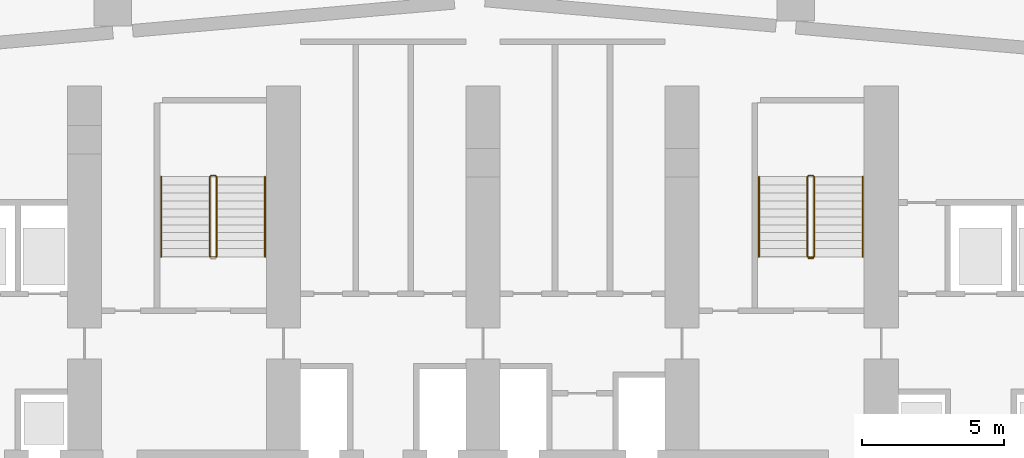
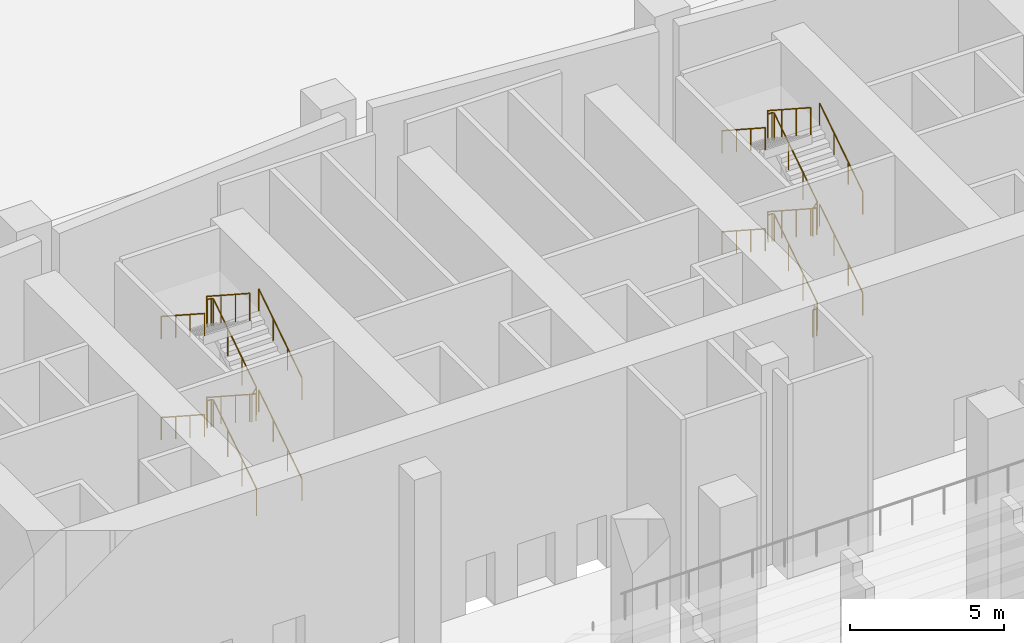
# One storey, part 39 of 41: 11 railings.
"""IFC4 building model written with IfcOpenShell, lengths in metres."""

from ifc_helpers import new_model, si_unit, direction, frame, origin, origin_2d, place, context, subcontext, project, spatial, circle, extrude, material, type_object, element, save


model = new_model("IFC4")

# Units and contexts
model_context = context("Model", 3, precision=1e-05, world=origin(), true_north=direction((0.0, 1.0)))
body_context = subcontext(model_context, "Body", "Model", "MODEL_VIEW")
ifc_project = project(units=[si_unit("LENGTHUNIT", "METRE"), si_unit("AREAUNIT", "SQUARE_METRE"), si_unit("VOLUMEUNIT", "CUBIC_METRE"), si_unit("PLANEANGLEUNIT", "RADIAN"), si_unit("MASSUNIT", "GRAM", prefix="KILO")], contexts=[model_context])

# Site, building, storey
site_placement = place(None, origin())
site = spatial("IfcSite", under=ifc_project, at=site_placement, CompositionType="ELEMENT")
building_placement = place(site_placement, origin())
building = spatial("IfcBuilding", under=site, at=building_placement, Name="Wharfspan Tower", CompositionType="ELEMENT")
storey_placement = place(building_placement, origin())
storey = spatial("IfcBuildingStorey", under=building, at=storey_placement, Name="L00", CompositionType="ELEMENT", Elevation=0.0)

# Railings
ifc_material = material(Name="Steel S355J2", Category="steel")
railing_type_1 = type_object("IfcRailingType", Name="Stair guard 1100", PredefinedType="GUARDRAIL", material=ifc_material)
railing_1_placement = place(storey_placement, frame((27.649902, 42.0, 0.181885)))
element("IfcRailing", 1, at=railing_1_placement, inside=storey, type_object=railing_type_1, Name="L00 ST1 stair guard 1", PredefinedType="GUARDRAIL", context=body_context, shape_type="SweptSolid", body=[
    extrude(circle(Radius=0.023926, at=origin_2d()), frame((0.0, 0.0, 1.076172), z_axis=(0.0, 0.838706, 0.544585), x_axis=(-1.0, 0.0, 0.0)), (0.0, 0.0, 1.0), 3.338623),
    extrude(circle(Radius=0.023926, at=origin_2d()), frame((0.0, 2.800049, 2.894043), z_axis=(-0.705376, 0.708834, 0.0), x_axis=(-0.708834, -0.705376, 0.0)), (0.0, 0.0, 1.0), 0.070557),
    extrude(circle(Radius=0.023926, at=origin_2d()), frame((-0.049805, 2.850098, 2.894043), z_axis=(-1.0, 0.0, 0.0), x_axis=(0.0, -1.0, 0.0)), (0.0, 0.0, 1.0), 0.150146),
    extrude(circle(Radius=0.023926, at=origin_2d()), frame((-0.199951, 2.850098, 2.894043), z_axis=(-0.256435, -0.256435, 0.931924), x_axis=(0.707107, -0.707107, 0.0)), (0.0, 0.0, 1.0), 0.195068),
    extrude(circle(Radius=0.023926, at=origin_2d()), frame((-0.25, 2.800049, 3.076172), z_axis=(0.0, -0.838706, 0.544585), x_axis=(1.0, 0.0, 0.0)), (0.0, 0.0, 1.0), 3.338623),
    extrude(circle(Radius=0.023926, at=origin_2d()), frame((-0.25, 0.0, 4.894043), z_axis=(0.970143, -0.242536, 0.0), x_axis=(0.242536, 0.970143, 0.0)), (0.0, 0.0, 1.0), 0.206299),
    extrude(circle(Radius=0.023926, at=origin_2d()), frame((-0.049805, -0.050049, 4.894043), z_axis=(-1.0, 0.0, 0.0), x_axis=(0.0, -1.0, 0.0)), (0.0, 0.0, 1.0), 0.150146),
    extrude(circle(Radius=0.023926, at=origin_2d()), frame((-0.199951, -0.050049, 4.894043), z_axis=(0.727372, 0.182065, 0.661651), x_axis=(-0.242812, 0.970071, -2e-06)), (0.0, 0.0, 1.0), 0.274902),
    extrude(circle(Radius=0.023926, at=origin_2d()), frame((0.0, 0.0, 5.076172), z_axis=(0.0, 0.838706, 0.544585), x_axis=(-1.0, 0.0, 0.0)), (0.0, 0.0, 1.0), 3.338623),
    extrude(circle(Radius=0.023926, at=origin_2d()), frame((0.0, 2.800049, 6.894043), z_axis=(-0.705376, 0.708834, 0.0), x_axis=(-0.708834, -0.705376, 0.0)), (0.0, 0.0, 1.0), 0.070557),
    extrude(circle(Radius=0.023926, at=origin_2d()), frame((-0.049805, 2.850098, 6.894043), z_axis=(-1.0, 0.0, 0.0), x_axis=(0.0, -1.0, 0.0)), (0.0, 0.0, 1.0), 0.150146),
    extrude(circle(Radius=0.023926, at=origin_2d()), frame((-0.199951, 2.850098, 6.894043), z_axis=(-0.256435, -0.256435, 0.931924), x_axis=(0.707107, -0.707107, 0.0)), (0.0, 0.0, 1.0), 0.195068),
    extrude(circle(Radius=0.023926, at=origin_2d()), frame((-0.25, 2.800049, 7.076172), z_axis=(0.0, -0.838706, 0.544585), x_axis=(1.0, 0.0, 0.0)), (0.0, 0.0, 1.0), 3.338623),
    extrude(circle(Radius=0.020996, at=origin_2d()), origin(), (0.0, 0.0, 1.0), 1.052002),
    extrude(circle(Radius=0.020996, at=origin_2d()), frame((0.0, 0.93335, 0.605957)), (0.0, 0.0, 1.0), 1.052002),
    extrude(circle(Radius=0.020996, at=origin_2d()), frame((0.0, 1.866699, 1.212158)), (0.0, 0.0, 1.0), 1.052002),
    extrude(circle(Radius=0.020996, at=origin_2d()), frame((0.0, 2.800049, 1.818115)), (0.0, 0.0, 1.0), 1.052002),
    extrude(circle(Radius=0.020996, at=origin_2d()), frame((-0.049805, 2.850098, 1.818115)), (0.0, 0.0, 1.0), 1.052002),
    extrude(circle(Radius=0.020996, at=origin_2d()), frame((-0.199951, 2.850098, 1.818115)), (0.0, 0.0, 1.0), 1.052002),
    extrude(circle(Radius=0.020996, at=origin_2d()), frame((-0.25, 2.800049, 2.0)), (0.0, 0.0, 1.0), 1.052002),
    extrude(circle(Radius=0.020996, at=origin_2d()), frame((-0.25, 1.866699, 2.605957)), (0.0, 0.0, 1.0), 1.052002),
    extrude(circle(Radius=0.020996, at=origin_2d()), frame((-0.25, 0.93335, 3.212158)), (0.0, 0.0, 1.0), 1.052002),
    extrude(circle(Radius=0.020996, at=origin_2d()), frame((-0.25, 0.0, 3.818115)), (0.0, 0.0, 1.0), 1.052002),
    extrude(circle(Radius=0.020996, at=origin_2d()), frame((-0.049805, -0.050049, 3.818115)), (0.0, 0.0, 1.0), 1.052002),
    extrude(circle(Radius=0.020996, at=origin_2d()), frame((-0.199951, -0.050049, 3.818115)), (0.0, 0.0, 1.0), 1.052002),
    extrude(circle(Radius=0.020996, at=origin_2d()), frame((0.0, 0.0, 4.0)), (0.0, 0.0, 1.0), 1.052002),
    extrude(circle(Radius=0.020996, at=origin_2d()), frame((0.0, 0.93335, 4.605957)), (0.0, 0.0, 1.0), 1.052002),
    extrude(circle(Radius=0.020996, at=origin_2d()), frame((0.0, 1.866699, 5.212158)), (0.0, 0.0, 1.0), 1.052002),
    extrude(circle(Radius=0.020996, at=origin_2d()), frame((0.0, 2.800049, 5.818115)), (0.0, 0.0, 1.0), 1.052002),
    extrude(circle(Radius=0.020996, at=origin_2d()), frame((-0.049805, 2.850098, 5.818115)), (0.0, 0.0, 1.0), 1.052002),
    extrude(circle(Radius=0.020996, at=origin_2d()), frame((-0.199951, 2.850098, 5.818115)), (0.0, 0.0, 1.0), 1.052002),
    extrude(circle(Radius=0.020996, at=origin_2d()), frame((-0.25, 2.800049, 6.0)), (0.0, 0.0, 1.0), 1.052002),
    extrude(circle(Radius=0.020996, at=origin_2d()), frame((-0.25, 1.866699, 6.605957)), (0.0, 0.0, 1.0), 1.052002),
    extrude(circle(Radius=0.020996, at=origin_2d()), frame((-0.25, 0.93335, 7.212158)), (0.0, 0.0, 1.0), 1.052002),
    extrude(circle(Radius=0.020996, at=origin_2d()), frame((-0.25, 0.0, 7.818115)), (0.0, 0.0, 1.0), 1.052002),
])
railing_2_placement = place(storey_placement, frame((48.649902, 42.0, 0.181885)))
element("IfcRailing", 2, at=railing_2_placement, inside=storey, type_object=railing_type_1, Name="L00 ST2 stair guard 1", PredefinedType="GUARDRAIL", context=body_context, shape_type="SweptSolid", body=[
    extrude(circle(Radius=0.023926, at=origin_2d()), frame((0.0, 0.0, 1.076172), z_axis=(0.0, 0.838706, 0.544585), x_axis=(-1.0, 0.0, 0.0)), (0.0, 0.0, 1.0), 3.338623),
    extrude(circle(Radius=0.023926, at=origin_2d()), frame((0.0, 2.800049, 2.894043), z_axis=(-0.705376, 0.708834, 0.0), x_axis=(-0.708834, -0.705376, 0.0)), (0.0, 0.0, 1.0), 0.070557),
    extrude(circle(Radius=0.023926, at=origin_2d()), frame((-0.049805, 2.850098, 2.894043), z_axis=(-1.0, 0.0, 0.0), x_axis=(0.0, -1.0, 0.0)), (0.0, 0.0, 1.0), 0.150146),
    extrude(circle(Radius=0.023926, at=origin_2d()), frame((-0.199951, 2.850098, 2.894043), z_axis=(-0.256435, -0.256435, 0.931924), x_axis=(0.707107, -0.707107, 0.0)), (0.0, 0.0, 1.0), 0.195068),
    extrude(circle(Radius=0.023926, at=origin_2d()), frame((-0.25, 2.800049, 3.076172), z_axis=(0.0, -0.838706, 0.544585), x_axis=(1.0, 0.0, 0.0)), (0.0, 0.0, 1.0), 3.338623),
    extrude(circle(Radius=0.023926, at=origin_2d()), frame((-0.25, 0.0, 4.894043), z_axis=(0.970143, -0.242536, 0.0), x_axis=(0.242536, 0.970143, 0.0)), (0.0, 0.0, 1.0), 0.206299),
    extrude(circle(Radius=0.023926, at=origin_2d()), frame((-0.049805, -0.050049, 4.894043), z_axis=(-1.0, 0.0, 0.0), x_axis=(0.0, -1.0, 0.0)), (0.0, 0.0, 1.0), 0.150146),
    extrude(circle(Radius=0.023926, at=origin_2d()), frame((-0.199951, -0.050049, 4.894043), z_axis=(0.727372, 0.182065, 0.661651), x_axis=(-0.242812, 0.970071, -2e-06)), (0.0, 0.0, 1.0), 0.274902),
    extrude(circle(Radius=0.023926, at=origin_2d()), frame((0.0, 0.0, 5.076172), z_axis=(0.0, 0.838706, 0.544585), x_axis=(-1.0, 0.0, 0.0)), (0.0, 0.0, 1.0), 3.338623),
    extrude(circle(Radius=0.023926, at=origin_2d()), frame((0.0, 2.800049, 6.894043), z_axis=(-0.705376, 0.708834, 0.0), x_axis=(-0.708834, -0.705376, 0.0)), (0.0, 0.0, 1.0), 0.070557),
    extrude(circle(Radius=0.023926, at=origin_2d()), frame((-0.049805, 2.850098, 6.894043), z_axis=(-1.0, 0.0, 0.0), x_axis=(0.0, -1.0, 0.0)), (0.0, 0.0, 1.0), 0.150146),
    extrude(circle(Radius=0.023926, at=origin_2d()), frame((-0.199951, 2.850098, 6.894043), z_axis=(-0.256435, -0.256435, 0.931924), x_axis=(0.707107, -0.707107, 0.0)), (0.0, 0.0, 1.0), 0.195068),
    extrude(circle(Radius=0.023926, at=origin_2d()), frame((-0.25, 2.800049, 7.076172), z_axis=(0.0, -0.838706, 0.544585), x_axis=(1.0, 0.0, 0.0)), (0.0, 0.0, 1.0), 3.338623),
    extrude(circle(Radius=0.020996, at=origin_2d()), origin(), (0.0, 0.0, 1.0), 1.052002),
    extrude(circle(Radius=0.020996, at=origin_2d()), frame((0.0, 0.93335, 0.605957)), (0.0, 0.0, 1.0), 1.052002),
    extrude(circle(Radius=0.020996, at=origin_2d()), frame((0.0, 1.866699, 1.212158)), (0.0, 0.0, 1.0), 1.052002),
    extrude(circle(Radius=0.020996, at=origin_2d()), frame((0.0, 2.800049, 1.818115)), (0.0, 0.0, 1.0), 1.052002),
    extrude(circle(Radius=0.020996, at=origin_2d()), frame((-0.049805, 2.850098, 1.818115)), (0.0, 0.0, 1.0), 1.052002),
    extrude(circle(Radius=0.020996, at=origin_2d()), frame((-0.199951, 2.850098, 1.818115)), (0.0, 0.0, 1.0), 1.052002),
    extrude(circle(Radius=0.020996, at=origin_2d()), frame((-0.25, 2.800049, 2.0)), (0.0, 0.0, 1.0), 1.052002),
    extrude(circle(Radius=0.020996, at=origin_2d()), frame((-0.25, 1.866699, 2.605957)), (0.0, 0.0, 1.0), 1.052002),
    extrude(circle(Radius=0.020996, at=origin_2d()), frame((-0.25, 0.93335, 3.212158)), (0.0, 0.0, 1.0), 1.052002),
    extrude(circle(Radius=0.020996, at=origin_2d()), frame((-0.25, 0.0, 3.818115)), (0.0, 0.0, 1.0), 1.052002),
    extrude(circle(Radius=0.020996, at=origin_2d()), frame((-0.049805, -0.050049, 3.818115)), (0.0, 0.0, 1.0), 1.052002),
    extrude(circle(Radius=0.020996, at=origin_2d()), frame((-0.199951, -0.050049, 3.818115)), (0.0, 0.0, 1.0), 1.052002),
    extrude(circle(Radius=0.020996, at=origin_2d()), frame((0.0, 0.0, 4.0)), (0.0, 0.0, 1.0), 1.052002),
    extrude(circle(Radius=0.020996, at=origin_2d()), frame((0.0, 0.93335, 4.605957)), (0.0, 0.0, 1.0), 1.052002),
    extrude(circle(Radius=0.020996, at=origin_2d()), frame((0.0, 1.866699, 5.212158)), (0.0, 0.0, 1.0), 1.052002),
    extrude(circle(Radius=0.020996, at=origin_2d()), frame((0.0, 2.800049, 5.818115)), (0.0, 0.0, 1.0), 1.052002),
    extrude(circle(Radius=0.020996, at=origin_2d()), frame((-0.049805, 2.850098, 5.818115)), (0.0, 0.0, 1.0), 1.052002),
    extrude(circle(Radius=0.020996, at=origin_2d()), frame((-0.199951, 2.850098, 5.818115)), (0.0, 0.0, 1.0), 1.052002),
    extrude(circle(Radius=0.020996, at=origin_2d()), frame((-0.25, 2.800049, 6.0)), (0.0, 0.0, 1.0), 1.052002),
    extrude(circle(Radius=0.020996, at=origin_2d()), frame((-0.25, 1.866699, 6.605957)), (0.0, 0.0, 1.0), 1.052002),
    extrude(circle(Radius=0.020996, at=origin_2d()), frame((-0.25, 0.93335, 7.212158)), (0.0, 0.0, 1.0), 1.052002),
    extrude(circle(Radius=0.020996, at=origin_2d()), frame((-0.25, 0.0, 7.818115)), (0.0, 0.0, 1.0), 1.052002),
])
railing_3_placement = place(storey_placement, frame((48.600098, 41.949951, 0.0)))
element("IfcRailing", 3, at=railing_3_placement, inside=storey, type_object=railing_type_1, Name="L00 ST2 stair guard 2", PredefinedType="GUARDRAIL", context=body_context, shape_type="SweptSolid", body=[
    extrude(circle(Radius=0.023926, at=origin_2d()), frame((0.0, 0.0, 1.076172), z_axis=(-1.0, 0.0, 0.0), x_axis=(0.0, -1.0, 0.0)), (0.0, 0.0, 1.0), 0.150146),
    extrude(circle(Radius=0.020996, at=origin_2d()), origin(), (0.0, 0.0, 1.0), 1.052002),
    extrude(circle(Radius=0.020996, at=origin_2d()), frame((-0.150146, 0.0, 0.0)), (0.0, 0.0, 1.0), 1.052002),
])
railing_type_2 = type_object("IfcRailingType", Name="Stair handrail 900", PredefinedType="HANDRAIL", material=ifc_material)
railing_4_placement = place(storey_placement, frame((29.350098, 42.0, 0.181885)))
element("IfcRailing", 4, at=railing_4_placement, inside=storey, type_object=railing_type_2, Name="L00 ST1 stair handrail 1", PredefinedType="HANDRAIL", context=body_context, shape_type="SweptSolid", body=[
    extrude(circle(Radius=0.023926, at=origin_2d()), frame((0.0, 0.0, 0.875977), z_axis=(0.0, 0.838706, 0.544585), x_axis=(-1.0, 0.0, 0.0)), (0.0, 0.0, 1.0), 3.338623),
    extrude(circle(Radius=0.020996, at=origin_2d()), origin(), (0.0, 0.0, 1.0), 0.851807),
    extrude(circle(Radius=0.020996, at=origin_2d()), frame((0.0, 0.93335, 0.605957)), (0.0, 0.0, 1.0), 0.851807),
    extrude(circle(Radius=0.020996, at=origin_2d()), frame((0.0, 1.866699, 1.212158)), (0.0, 0.0, 1.0), 0.851807),
    extrude(circle(Radius=0.020996, at=origin_2d()), frame((0.0, 2.800049, 1.818115)), (0.0, 0.0, 1.0), 0.851807),
])
railing_5_placement = place(storey_placement, frame((25.699951, 44.800049, 2.181885)))
element("IfcRailing", 5, at=railing_5_placement, inside=storey, type_object=railing_type_2, Name="L00 ST1 stair handrail 2", PredefinedType="HANDRAIL", context=body_context, shape_type="SweptSolid", body=[
    extrude(circle(Radius=0.023926, at=origin_2d()), frame((0.0, 0.0, 0.875977), z_axis=(0.0, -0.838706, 0.544585), x_axis=(1.0, 0.0, 0.0)), (0.0, 0.0, 1.0), 3.338623),
    extrude(circle(Radius=0.020996, at=origin_2d()), origin(), (0.0, 0.0, 1.0), 0.851807),
    extrude(circle(Radius=0.020996, at=origin_2d()), frame((0.0, -0.93335, 0.605957)), (0.0, 0.0, 1.0), 0.851807),
    extrude(circle(Radius=0.020996, at=origin_2d()), frame((0.0, -1.866699, 1.212158)), (0.0, 0.0, 1.0), 0.851807),
    extrude(circle(Radius=0.020996, at=origin_2d()), frame((0.0, -2.800049, 1.818115)), (0.0, 0.0, 1.0), 0.851807),
])
railing_6_placement = place(storey_placement, frame((29.350098, 42.0, 4.181885)))
element("IfcRailing", 6, at=railing_6_placement, inside=storey, type_object=railing_type_2, Name="L00 ST1 stair handrail 3", PredefinedType="HANDRAIL", context=body_context, shape_type="SweptSolid", body=[
    extrude(circle(Radius=0.023926, at=origin_2d()), frame((0.0, 0.0, 0.875977), z_axis=(0.0, 0.838706, 0.544585), x_axis=(-1.0, 0.0, 0.0)), (0.0, 0.0, 1.0), 3.338623),
    extrude(circle(Radius=0.020996, at=origin_2d()), origin(), (0.0, 0.0, 1.0), 0.851807),
    extrude(circle(Radius=0.020996, at=origin_2d()), frame((0.0, 0.93335, 0.605957)), (0.0, 0.0, 1.0), 0.851807),
    extrude(circle(Radius=0.020996, at=origin_2d()), frame((0.0, 1.866699, 1.212158)), (0.0, 0.0, 1.0), 0.851807),
    extrude(circle(Radius=0.020996, at=origin_2d()), frame((0.0, 2.800049, 1.818115)), (0.0, 0.0, 1.0), 0.851807),
])
railing_7_placement = place(storey_placement, frame((25.699951, 44.800049, 6.181885)))
element("IfcRailing", 7, at=railing_7_placement, inside=storey, type_object=railing_type_2, Name="L00 ST1 stair handrail 4", PredefinedType="HANDRAIL", context=body_context, shape_type="SweptSolid", body=[
    extrude(circle(Radius=0.023926, at=origin_2d()), frame((0.0, 0.0, 0.875977), z_axis=(0.0, -0.838706, 0.544585), x_axis=(1.0, 0.0, 0.0)), (0.0, 0.0, 1.0), 3.338623),
    extrude(circle(Radius=0.020996, at=origin_2d()), origin(), (0.0, 0.0, 1.0), 0.851807),
    extrude(circle(Radius=0.020996, at=origin_2d()), frame((0.0, -0.93335, 0.605957)), (0.0, 0.0, 1.0), 0.851807),
    extrude(circle(Radius=0.020996, at=origin_2d()), frame((0.0, -1.866699, 1.212158)), (0.0, 0.0, 1.0), 0.851807),
    extrude(circle(Radius=0.020996, at=origin_2d()), frame((0.0, -2.800049, 1.818115)), (0.0, 0.0, 1.0), 0.851807),
])
railing_8_placement = place(storey_placement, frame((50.350098, 42.0, 0.181885)))
element("IfcRailing", 8, at=railing_8_placement, inside=storey, type_object=railing_type_2, Name="L00 ST2 stair handrail 1", PredefinedType="HANDRAIL", context=body_context, shape_type="SweptSolid", body=[
    extrude(circle(Radius=0.023926, at=origin_2d()), frame((0.0, 0.0, 0.875977), z_axis=(0.0, 0.838706, 0.544585), x_axis=(-1.0, 0.0, 0.0)), (0.0, 0.0, 1.0), 3.338623),
    extrude(circle(Radius=0.020996, at=origin_2d()), origin(), (0.0, 0.0, 1.0), 0.851807),
    extrude(circle(Radius=0.020996, at=origin_2d()), frame((0.0, 0.93335, 0.605957)), (0.0, 0.0, 1.0), 0.851807),
    extrude(circle(Radius=0.020996, at=origin_2d()), frame((0.0, 1.866699, 1.212158)), (0.0, 0.0, 1.0), 0.851807),
    extrude(circle(Radius=0.020996, at=origin_2d()), frame((0.0, 2.800049, 1.818115)), (0.0, 0.0, 1.0), 0.851807),
])
railing_9_placement = place(storey_placement, frame((46.699951, 44.800049, 2.181885)))
element("IfcRailing", 9, at=railing_9_placement, inside=storey, type_object=railing_type_2, Name="L00 ST2 stair handrail 2", PredefinedType="HANDRAIL", context=body_context, shape_type="SweptSolid", body=[
    extrude(circle(Radius=0.023926, at=origin_2d()), frame((0.0, 0.0, 0.875977), z_axis=(0.0, -0.838706, 0.544585), x_axis=(1.0, 0.0, 0.0)), (0.0, 0.0, 1.0), 3.338623),
    extrude(circle(Radius=0.020996, at=origin_2d()), origin(), (0.0, 0.0, 1.0), 0.851807),
    extrude(circle(Radius=0.020996, at=origin_2d()), frame((0.0, -0.93335, 0.605957)), (0.0, 0.0, 1.0), 0.851807),
    extrude(circle(Radius=0.020996, at=origin_2d()), frame((0.0, -1.866699, 1.212158)), (0.0, 0.0, 1.0), 0.851807),
    extrude(circle(Radius=0.020996, at=origin_2d()), frame((0.0, -2.800049, 1.818115)), (0.0, 0.0, 1.0), 0.851807),
])
railing_10_placement = place(storey_placement, frame((50.350098, 42.0, 4.181885)))
element("IfcRailing", 10, at=railing_10_placement, inside=storey, type_object=railing_type_2, Name="L00 ST2 stair handrail 3", PredefinedType="HANDRAIL", context=body_context, shape_type="SweptSolid", body=[
    extrude(circle(Radius=0.023926, at=origin_2d()), frame((0.0, 0.0, 0.875977), z_axis=(0.0, 0.838706, 0.544585), x_axis=(-1.0, 0.0, 0.0)), (0.0, 0.0, 1.0), 3.338623),
    extrude(circle(Radius=0.020996, at=origin_2d()), origin(), (0.0, 0.0, 1.0), 0.851807),
    extrude(circle(Radius=0.020996, at=origin_2d()), frame((0.0, 0.93335, 0.605957)), (0.0, 0.0, 1.0), 0.851807),
    extrude(circle(Radius=0.020996, at=origin_2d()), frame((0.0, 1.866699, 1.212158)), (0.0, 0.0, 1.0), 0.851807),
    extrude(circle(Radius=0.020996, at=origin_2d()), frame((0.0, 2.800049, 1.818115)), (0.0, 0.0, 1.0), 0.851807),
])
railing_11_placement = place(storey_placement, frame((46.699951, 44.800049, 6.181885)))
element("IfcRailing", 11, at=railing_11_placement, inside=storey, type_object=railing_type_2, Name="L00 ST2 stair handrail 4", PredefinedType="HANDRAIL", context=body_context, shape_type="SweptSolid", body=[
    extrude(circle(Radius=0.023926, at=origin_2d()), frame((0.0, 0.0, 0.875977), z_axis=(0.0, -0.838706, 0.544585), x_axis=(1.0, 0.0, 0.0)), (0.0, 0.0, 1.0), 3.338623),
    extrude(circle(Radius=0.020996, at=origin_2d()), origin(), (0.0, 0.0, 1.0), 0.851807),
    extrude(circle(Radius=0.020996, at=origin_2d()), frame((0.0, -0.93335, 0.605957)), (0.0, 0.0, 1.0), 0.851807),
    extrude(circle(Radius=0.020996, at=origin_2d()), frame((0.0, -1.866699, 1.212158)), (0.0, 0.0, 1.0), 0.851807),
    extrude(circle(Radius=0.020996, at=origin_2d()), frame((0.0, -2.800049, 1.818115)), (0.0, 0.0, 1.0), 0.851807),
])

save(model, "model.ifc")
